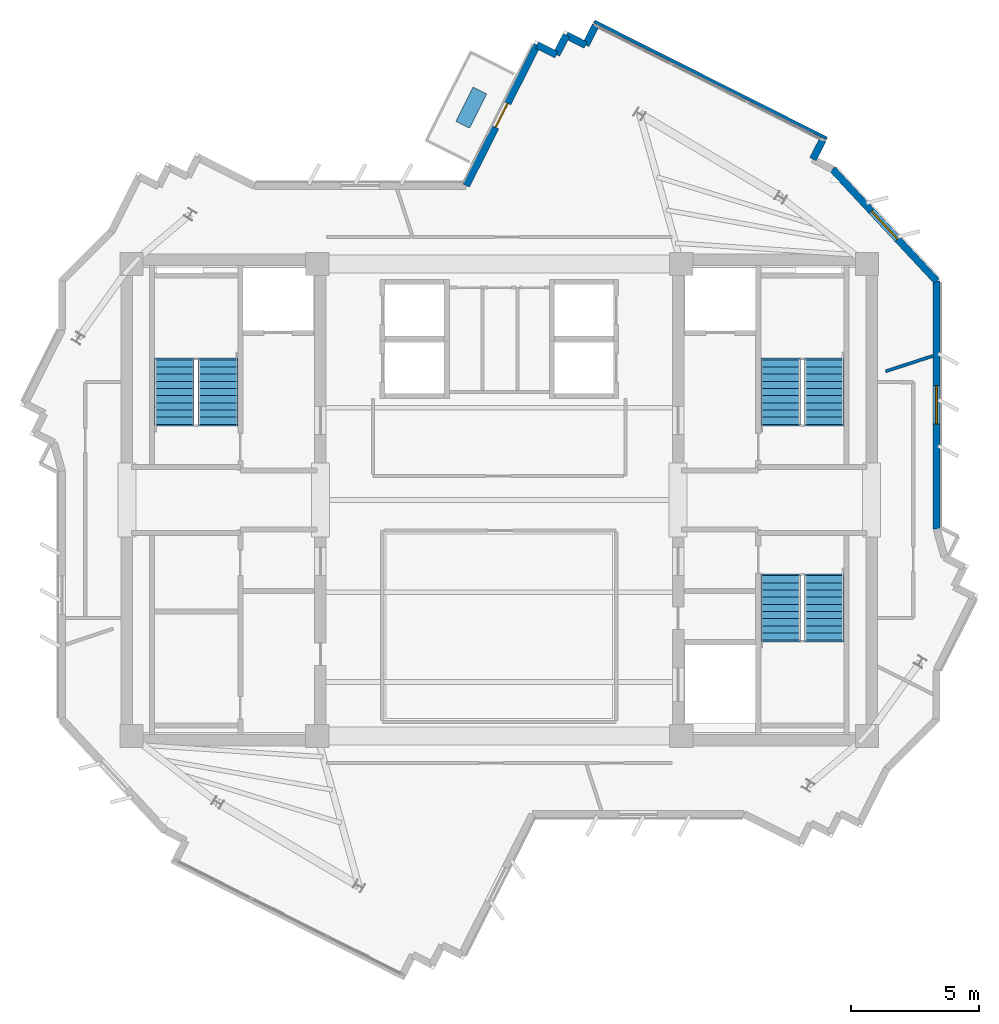
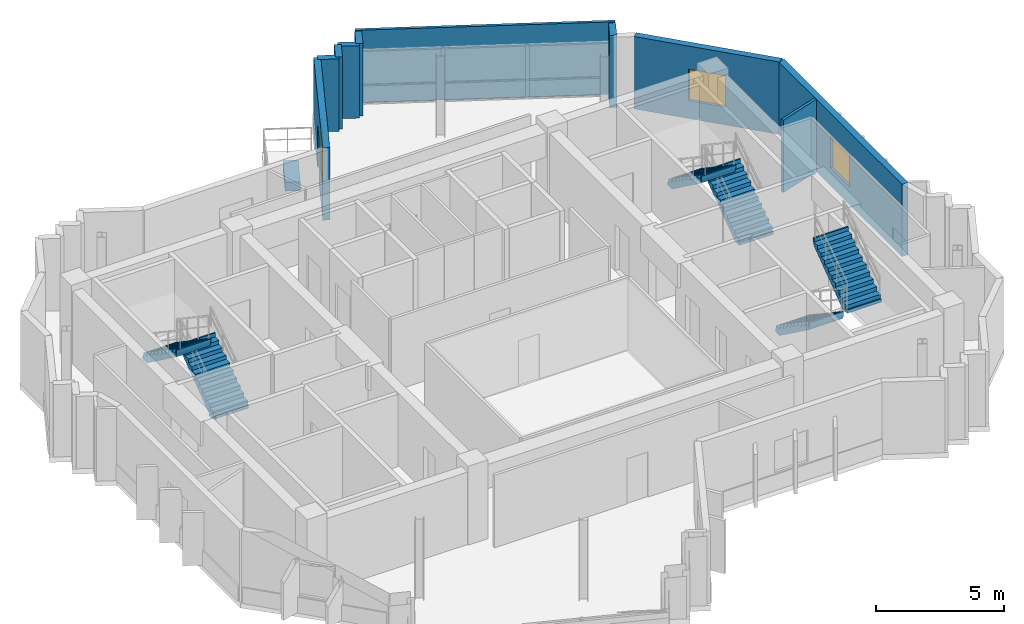
# One storey, part 9 of 11: 10 walls, 6 stair flights, 2 windows, 1 discrete accessory, 1 door, 3 openings, 3 elements without a shape of their own.
"""IFC4 building model written with IfcOpenShell, lengths in metres."""

from ifc_helpers import new_model, si_unit, direction, frame, frame_2d, origin, origin_2d, place, context, subcontext, project, spatial, polyline, rectangle, outline, extrude, source, transform, mapped, material, layer, layer_set, type_object, element, fill, aggregate, save


model = new_model("IFC4")

# Units and contexts
model_context = context("Model", 3, precision=1e-05, world=origin(), true_north=direction((0.0, 1.0)))
body_context = subcontext(model_context, "Body", "Model", "MODEL_VIEW")
ifc_project = project(units=[si_unit("LENGTHUNIT", "METRE"), si_unit("AREAUNIT", "SQUARE_METRE"), si_unit("VOLUMEUNIT", "CUBIC_METRE"), si_unit("PLANEANGLEUNIT", "RADIAN"), si_unit("MASSUNIT", "GRAM", prefix="KILO")], contexts=[model_context])

# Site, building, storey
site_placement = place(None, origin())
site = spatial("IfcSite", under=ifc_project, at=site_placement, CompositionType="ELEMENT")
building_placement = place(site_placement, origin())
building = spatial("IfcBuilding", under=site, at=building_placement, Name="Zahravan Cultural Tower", CompositionType="ELEMENT")
storey_placement = place(building_placement, frame((0.0, 0.0, 357.300048828125)))
storey = spatial("IfcBuildingStorey", under=building, at=storey_placement, Name="L87", CompositionType="ELEMENT", Elevation=357.300048828125)

# Wall, opening, door
ifc_material_1 = material(Name="Precast concrete C40/50", Category="concrete")
ifc_layer_1 = layer(ifc_material_1, 0.280029296875)
ifc_layer_set_1 = layer_set([ifc_layer_1], Name="Precast concrete C40/50")
wall_type_1 = type_object("IfcWallType", Name="EW-TC-280", PredefinedType="SOLIDWALL", material=ifc_layer_set_1)
wall_1_placement = place(storey_placement, frame((34.711181640625, 39.260009765625, 0.0), z_axis=(0.0, 0.0, 1.0), x_axis=(0.449325511899, 0.893368112458, 0.0)))
wall_1 = element("IfcWall", 1, at=wall_1_placement, inside=storey, type_object=wall_type_1, Name="L87 Exterior Masonry Frame Wall 01", PredefinedType="SOLIDWALL", context=body_context, shape_type="SweptSolid", body=[
    extrude(rectangle(XDim=6.146484375, YDim=0.280029296875, at=frame_2d((3.0732421875, 0.0))), origin(), (0.0, 0.0, 1.0), 3.449951171875),
])
opening_1_placement = place(wall_1_placement, frame((2.548095703125, 0.0, 0.0)))
opening_1 = element("IfcOpeningElement", 2, at=opening_1_placement, cuts=wall_1, Name="Opening D-L87-TR-NE", PredefinedType="OPENING", context=body_context, shape_type="SweptSolid", body=[
    extrude(rectangle(XDim=1.050048828125, YDim=2.14990234375, at=frame_2d((0.52490234375, 1.074951171875))), frame((0.0, 0.14990234375, 0.0), z_axis=(0.0, -1.0, 0.0), x_axis=(1.0, 0.0, 0.0)), (0.0, 0.0, 1.0), 0.300048828125),
])
ifc_material_2 = material(Name="Anodised bronze-aluminium mullion", Category="aluminium")
door_type = type_object("IfcDoorType", Name="DR-TERR-1050", OperationType="NOTDEFINED", PredefinedType="DOOR", material=ifc_material_2)
shared_shape_1 = source(origin(), body_context, "Body", "SweptSolid", [
    extrude(rectangle(XDim=1.050048828125, YDim=2.14990234375, at=frame_2d((0.52490234375, 1.074951171875))), frame((0.0, 0.02490234375, 0.0), z_axis=(0.0, -1.0, 0.0), x_axis=(1.0, 0.0, 0.0)), (0.0, 0.0, 1.0), 0.050048828125),
])
door_placement = place(opening_1_placement, origin())
door = element("IfcDoor", 3, at=door_placement, inside=storey, type_object=door_type, Name="L87 Terrace Access Door NE", OperationType="SINGLE_SWING_RIGHT", OverallHeight=2.14990234375, OverallWidth=1.050048828125, PredefinedType="DOOR", context=body_context, shape_type="MappedRepresentation", body=[
    mapped(shared_shape_1, transform((0.0, 0.0, 0.0), x_axis=(1.0, 0.0, 0.0), y_axis=(0.0, 1.0, 0.0), z_axis=(0.0, 0.0, 1.0), scale=1.0)),
])
fill(opening_1, door)

# Wall, opening, window
wall_2_placement = place(storey_placement, frame((48.9951171875, 39.9072265625, 0.0), z_axis=(0.0, 0.0, 1.0), x_axis=(0.681486568047, -0.731830620821, 0.0)))
wall_2 = element("IfcWall", 4, at=wall_2_placement, inside=storey, type_object=wall_type_1, Name="L87 Exterior Masonry Frame Wall 08", PredefinedType="SOLIDWALL", context=body_context, shape_type="SweptSolid", body=[
    extrude(rectangle(XDim=5.96484375, YDim=0.280029296875, at=frame_2d((2.982421875, 0.0))), origin(), (0.0, 0.0, 1.0), 3.449951171875),
])
opening_2_placement = place(wall_2_placement, frame((2.23193359375, 0.0, 0.85009765625)))
opening_2 = element("IfcOpeningElement", 5, at=opening_2_placement, cuts=wall_2, Name="Opening WN-03", PredefinedType="OPENING", context=body_context, shape_type="SweptSolid", body=[
    extrude(rectangle(XDim=1.5, YDim=1.5, at=frame_2d((0.75, 0.75))), frame((0.0, 0.14990234375, 0.0), z_axis=(0.0, -1.0, 0.0), x_axis=(1.0, 0.0, 0.0)), (0.0, 0.0, 1.0), 0.300048828125),
])
ifc_material_3 = material(Name="Low-E solar-control double glazing", Category="glass")
window_type = type_object("IfcWindowType", Name="WN-REC-1500X1500", PartitioningType="SINGLE_PANEL", PredefinedType="WINDOW", material=ifc_material_3)
shared_shape_2 = source(origin(), body_context, "Body", "SweptSolid", [
    extrude(rectangle(XDim=1.5, YDim=1.5, at=frame_2d((0.75, 0.75))), frame((0.0, 0.030029296875, 0.0), z_axis=(0.0, -1.0, 0.0), x_axis=(1.0, 0.0, 0.0)), (0.0, 0.0, 1.0), 0.06005859375),
])
window_1_placement = place(opening_2_placement, origin())
window_1 = element("IfcWindow", 6, at=window_1_placement, inside=storey, type_object=window_type, Name="L87 Recessed Solar Window 01", OverallHeight=1.5, OverallWidth=1.5, PartitioningType="SINGLE_PANEL", PredefinedType="WINDOW", context=body_context, shape_type="MappedRepresentation", body=[
    mapped(shared_shape_2, transform((0.0, 0.0, 0.0), x_axis=(1.0, 0.0, 0.0), y_axis=(0.0, 1.0, 0.0), z_axis=(0.0, 0.0, 1.0), scale=1.0)),
])
fill(opening_2, window_1)

wall_3_placement = place(storey_placement, frame((53.06005859375, 35.5419921875, 0.0), z_axis=(0.0, 0.0, 1.0), x_axis=(0.0, -1.0, 0.0)))
wall_3 = element("IfcWall", 7, at=wall_3_placement, inside=storey, type_object=wall_type_1, Name="L87 Exterior Masonry Frame Wall 09", PredefinedType="SOLIDWALL", context=body_context, shape_type="SweptSolid", body=[
    extrude(rectangle(XDim=9.66748046875, YDim=0.280029296875, at=frame_2d((4.833740234375, 0.0))), origin(), (0.0, 0.0, 1.0), 3.449951171875),
])
opening_3_placement = place(wall_3_placement, frame((4.083984375, 0.0, 0.85009765625)))
opening_3 = element("IfcOpeningElement", 8, at=opening_3_placement, cuts=wall_3, Name="Opening WN-03", PredefinedType="OPENING", context=body_context, shape_type="SweptSolid", body=[
    extrude(rectangle(XDim=1.5, YDim=1.5, at=frame_2d((0.75, 0.75))), frame((0.0, 0.14990234375, 0.0), z_axis=(0.0, -1.0, 0.0), x_axis=(1.0, 0.0, 0.0)), (0.0, 0.0, 1.0), 0.300048828125),
])
window_2_placement = place(opening_3_placement, origin())
window_2 = element("IfcWindow", 9, at=window_2_placement, inside=storey, type_object=window_type, Name="L87 Recessed Solar Window 02", OverallHeight=1.5, OverallWidth=1.5, PartitioningType="SINGLE_PANEL", PredefinedType="WINDOW", context=body_context, shape_type="MappedRepresentation", body=[
    mapped(shared_shape_2, transform((0.0, 0.0, 0.0), x_axis=(1.0, 0.0, 0.0), y_axis=(0.0, 1.0, 0.0), z_axis=(0.0, 0.0, 1.0), scale=1.0)),
])
fill(opening_3, window_2)

# Walls
shared_shape_3 = source(origin(), body_context, "Body", "SweptSolid", [
    extrude(rectangle(XDim=0.849853515625, YDim=0.280029296875, at=frame_2d((0.4248046875, 0.0))), origin(), (0.0, 0.0, 1.0), 3.449951171875),
])
for number, where, z_axis, x_axis, name in (
    (10, (38.6142578125, 45.12841796875, 0.0), (0.0, 0.0, 1.0), (0.89339064965, -0.449280699695, 0.0), "L87 Exterior Masonry Frame Wall 04"),
    (11, (48.61767578125, 41.048583984375, 0.0), (0.0, 0.0, 1.0), (-0.449280699695, -0.89339064965, 0.0), "L87 Exterior Masonry Frame Wall 06"),
):
    element("IfcWall", number, at=place(storey_placement, frame(where, z_axis=z_axis, x_axis=x_axis)), inside=storey, type_object=wall_type_1, Name=name, PredefinedType="SOLIDWALL", context=body_context, shape_type="MappedRepresentation", body=[
        mapped(shared_shape_3, transform((0.0, 0.0, 0.0), x_axis=(1.0, 0.0, 0.0), y_axis=(0.0, 1.0, 0.0), z_axis=(0.0, 0.0, 1.0), scale=1.0)),
    ])
shared_shape_4 = source(origin(), body_context, "Body", "SweptSolid", [
    extrude(rectangle(XDim=0.85009765625, YDim=0.280029296875, at=frame_2d((0.425048828125, 0.0))), origin(), (0.0, 0.0, 1.0), 3.449951171875),
])
for number, where, z_axis, x_axis, name in (
    (12, (37.472900390625, 44.7509765625, 0.0), (0.0, 0.0, 1.0), (0.893333346715, -0.449394627968, 0.0), "L87 Exterior Masonry Frame Wall 02"),
    (13, (38.232421875, 44.368896484375, 0.0), (0.0, 0.0, 1.0), (0.449165422653, 0.893448612452, 0.0), "L87 Exterior Masonry Frame Wall 03"),
    (14, (39.37353515625, 44.74658203125, 0.0), (0.0, 0.0, 1.0), (0.449509934066, 0.893275332233, 0.0), "L87 Exterior Masonry Frame Wall 05"),
):
    element("IfcWall", number, at=place(storey_placement, frame(where, z_axis=z_axis, x_axis=x_axis)), inside=storey, type_object=wall_type_1, Name=name, PredefinedType="SOLIDWALL", context=body_context, shape_type="MappedRepresentation", body=[
        mapped(shared_shape_4, transform((0.0, 0.0, 0.0), x_axis=(1.0, 0.0, 0.0), y_axis=(0.0, 1.0, 0.0), z_axis=(0.0, 0.0, 1.0), scale=1.0)),
    ])
ifc_material_4 = material(Name="Gypsum plasterboard partition")
ifc_layer_2 = layer(ifc_material_4, 0.125)
ifc_layer_set_2 = layer_set([ifc_layer_2], Name="Gypsum plasterboard partition")
wall_type_2 = type_object("IfcWallType", Name="W-PART-125", PredefinedType="PARTITIONING", material=ifc_layer_set_2)
shared_shape_5 = source(origin(), body_context, "Body", "SweptSolid", [
    extrude(rectangle(XDim=1.9404296875, YDim=0.125, at=frame_2d((0.97021484375, 0.0))), origin(), (0.0, 0.0, 1.0), 3.449951171875),
])
wall_4_placement = place(storey_placement, frame((51.070068359375, 32.018798828125, 0.0), z_axis=(0.0, 0.0, 1.0), x_axis=(0.950812842577, 0.309765941303, 0.0)))
element("IfcWall", 15, at=wall_4_placement, inside=storey, type_object=wall_type_2, Name="L87 Interior Wall 052", PredefinedType="PARTITIONING", context=body_context, shape_type="MappedRepresentation", body=[
    mapped(shared_shape_5, transform((0.0, 0.0, 0.0), x_axis=(1.0, 0.0, 0.0), y_axis=(0.0, 1.0, 0.0), z_axis=(0.0, 0.0, 1.0), scale=1.0)),
])
shared_shape_6 = source(origin(), body_context, "Body", "SweptSolid", [
    extrude(rectangle(XDim=10.16015625, YDim=0.125, at=frame_2d((5.080078125, 0.0))), origin(), (0.0, 0.0, 1.0), 3.449951171875),
])
wall_5_placement = place(storey_placement, frame((39.7021484375, 45.6669921875, 0.0), z_axis=(0.0, 0.0, 1.0), x_axis=(0.893367394955, -0.449326938465, 0.0)))
element("IfcWall", 16, at=wall_5_placement, inside=storey, type_object=wall_type_2, Name="L87 Interior Wall 076", PredefinedType="PARTITIONING", context=body_context, shape_type="MappedRepresentation", body=[
    mapped(shared_shape_6, transform((0.0, 0.0, 0.0), x_axis=(1.0, 0.0, 0.0), y_axis=(0.0, 1.0, 0.0), z_axis=(0.0, 0.0, 1.0), scale=1.0)),
])

# Stair, stair flights
ifc_material_5 = material(Name="Concrete C45/55", Category="concrete")
stair_type = type_object("IfcStairType", Name="STR-DL-1550-375", PredefinedType="HALF_TURN_STAIR", material=ifc_material_5)
stair_1_placement = place(storey_placement, origin())
stair_1 = element("IfcStair", 17, at=stair_1_placement, inside=storey, type_object=stair_type, Name="L87 West Core North Exit Stair ST-W1", PredefinedType="HALF_TURN_STAIR")
stair_flight_type = type_object("IfcStairFlightType", Name="FLG-DL-1550-375", PredefinedType="STRAIGHT", material=ifc_material_5)
stair_flight_1_placement = place(storey_placement, frame((25.02490234375, 29.949951171875, 0.0), z_axis=(0.0, 0.0, 1.0), x_axis=(0.0, 1.0, 0.0)))
stair_flight_1 = element("IfcStairFlight", 18, at=stair_flight_1_placement, type_object=stair_flight_type, Name="ST-W1 flight 1", NumberOfRisers=10, NumberOfTreads=9, PredefinedType="STRAIGHT", RiserHeight=0.1875, TreadLength=0.28, context=body_context, shape_type="SweptSolid", body=[
    extrude(outline(polyline([(-0.06494140625, -0.139892578125), (-0.06494140625, 0.0), (0.0, 0.0), (0.0, 0.1875), (0.280029296875, 0.1875), (0.280029296875, 0.375), (0.56005859375, 0.375), (0.56005859375, 0.5625), (0.840087890625, 0.5625), (0.840087890625, 0.75), (1.1201171875, 0.75), (1.1201171875, 0.9375), (1.39990234375, 0.9375), (1.39990234375, 1.125), (1.679931640625, 1.125), (1.679931640625, 1.3125), (1.9599609375, 1.3125), (1.9599609375, 1.5), (2.239990234375, 1.5), (2.239990234375, 1.6875), (2.52001953125, 1.6875), (2.52001953125, 1.875), (2.5849609375, 1.875), (2.5849609375, 1.72509765625), (2.52001953125, 1.507080078125), (0.26953125, -0.139892578125), (-0.06494140625, -0.139892578125)])), frame((0.0, 0.77490234375, 0.0), z_axis=(0.0, -1.0, 0.0), x_axis=(1.0, 0.0, 0.0)), (0.0, 0.0, 1.0), 1.550048828125),
])
stair_flight_2_placement = place(storey_placement, frame((23.324951171875, 32.469970703125, 1.875), z_axis=(0.0, 0.0, 1.0), x_axis=(0.0, -1.0, 0.0)))
stair_flight_2 = element("IfcStairFlight", 19, at=stair_flight_2_placement, type_object=stair_flight_type, Name="ST-W1 flight 2", NumberOfRisers=10, NumberOfTreads=9, PredefinedType="STRAIGHT", RiserHeight=0.1875, TreadLength=0.28, context=body_context, shape_type="SweptSolid", body=[
    extrude(outline(polyline([(-0.06494140625, -0.139892578125), (-0.06494140625, 0.0), (0.0, 0.0), (0.0, 0.1875), (0.280029296875, 0.1875), (0.280029296875, 0.375), (0.56005859375, 0.375), (0.56005859375, 0.5625), (0.840087890625, 0.5625), (0.840087890625, 0.75), (1.1201171875, 0.75), (1.1201171875, 0.9375), (1.39990234375, 0.9375), (1.39990234375, 1.125), (1.679931640625, 1.125), (1.679931640625, 1.3125), (1.9599609375, 1.3125), (1.9599609375, 1.5), (2.239990234375, 1.5), (2.239990234375, 1.6875), (2.52001953125, 1.6875), (2.52001953125, 1.875), (2.5849609375, 1.875), (2.5849609375, 1.72509765625), (2.52001953125, 1.507080078125), (0.26953125, -0.139892578125), (-0.06494140625, -0.139892578125)])), frame((0.0, 0.77490234375, 0.0), z_axis=(0.0, -1.0, 0.0), x_axis=(1.0, 0.0, 0.0)), (0.0, 0.0, 1.0), 1.550048828125),
])
aggregate(stair_1, [stair_flight_1, stair_flight_2])

stair_2_placement = place(storey_placement, origin())
stair_2 = element("IfcStair", 20, at=stair_2_placement, inside=storey, type_object=stair_type, Name="L87 East Core North Exit Stair ST-E1", PredefinedType="HALF_TURN_STAIR")
stair_flight_3_placement = place(storey_placement, frame((48.675048828125, 29.949951171875, 0.0), z_axis=(0.0, 0.0, 1.0), x_axis=(0.0, 1.0, 0.0)))
stair_flight_3 = element("IfcStairFlight", 21, at=stair_flight_3_placement, type_object=stair_flight_type, Name="ST-E1 flight 1", NumberOfRisers=10, NumberOfTreads=9, PredefinedType="STRAIGHT", RiserHeight=0.1875, TreadLength=0.28, context=body_context, shape_type="SweptSolid", body=[
    extrude(outline(polyline([(-0.06494140625, -0.139892578125), (-0.06494140625, 0.0), (0.0, 0.0), (0.0, 0.1875), (0.280029296875, 0.1875), (0.280029296875, 0.375), (0.56005859375, 0.375), (0.56005859375, 0.5625), (0.840087890625, 0.5625), (0.840087890625, 0.75), (1.1201171875, 0.75), (1.1201171875, 0.9375), (1.39990234375, 0.9375), (1.39990234375, 1.125), (1.679931640625, 1.125), (1.679931640625, 1.3125), (1.9599609375, 1.3125), (1.9599609375, 1.5), (2.239990234375, 1.5), (2.239990234375, 1.6875), (2.52001953125, 1.6875), (2.52001953125, 1.875), (2.5849609375, 1.875), (2.5849609375, 1.72509765625), (2.52001953125, 1.507080078125), (0.26953125, -0.139892578125), (-0.06494140625, -0.139892578125)])), frame((0.0, 0.77490234375, 0.0), z_axis=(0.0, -1.0, 0.0), x_axis=(1.0, 0.0, 0.0)), (0.0, 0.0, 1.0), 1.550048828125),
])
stair_flight_4_placement = place(storey_placement, frame((46.97509765625, 32.469970703125, 1.875), z_axis=(0.0, 0.0, 1.0), x_axis=(0.0, -1.0, 0.0)))
stair_flight_4 = element("IfcStairFlight", 22, at=stair_flight_4_placement, type_object=stair_flight_type, Name="ST-E1 flight 2", NumberOfRisers=10, NumberOfTreads=9, PredefinedType="STRAIGHT", RiserHeight=0.1875, TreadLength=0.28, context=body_context, shape_type="SweptSolid", body=[
    extrude(outline(polyline([(-0.06494140625, -0.139892578125), (-0.06494140625, 0.0), (0.0, 0.0), (0.0, 0.1875), (0.280029296875, 0.1875), (0.280029296875, 0.375), (0.56005859375, 0.375), (0.56005859375, 0.5625), (0.840087890625, 0.5625), (0.840087890625, 0.75), (1.1201171875, 0.75), (1.1201171875, 0.9375), (1.39990234375, 0.9375), (1.39990234375, 1.125), (1.679931640625, 1.125), (1.679931640625, 1.3125), (1.9599609375, 1.3125), (1.9599609375, 1.5), (2.239990234375, 1.5), (2.239990234375, 1.6875), (2.52001953125, 1.6875), (2.52001953125, 1.875), (2.5849609375, 1.875), (2.5849609375, 1.72509765625), (2.52001953125, 1.507080078125), (0.26953125, -0.139892578125), (-0.06494140625, -0.139892578125)])), frame((0.0, 0.77490234375, 0.0), z_axis=(0.0, -1.0, 0.0), x_axis=(1.0, 0.0, 0.0)), (0.0, 0.0, 1.0), 1.550048828125),
])
aggregate(stair_2, [stair_flight_3, stair_flight_4])

stair_3_placement = place(storey_placement, origin())
stair_3 = element("IfcStair", 23, at=stair_3_placement, inside=storey, type_object=stair_type, Name="L87 East Core South Exit Stair ST-E2", PredefinedType="HALF_TURN_STAIR")
stair_flight_5_placement = place(storey_placement, frame((46.97509765625, 24.050048828125, 0.0), z_axis=(0.0, 0.0, 1.0), x_axis=(0.0, -1.0, 0.0)))
stair_flight_5 = element("IfcStairFlight", 24, at=stair_flight_5_placement, type_object=stair_flight_type, Name="ST-E2 flight 1", NumberOfRisers=10, NumberOfTreads=9, PredefinedType="STRAIGHT", RiserHeight=0.1875, TreadLength=0.28, context=body_context, shape_type="SweptSolid", body=[
    extrude(outline(polyline([(-0.06494140625, -0.139892578125), (-0.06494140625, 0.0), (0.0, 0.0), (0.0, 0.1875), (0.280029296875, 0.1875), (0.280029296875, 0.375), (0.56005859375, 0.375), (0.56005859375, 0.5625), (0.840087890625, 0.5625), (0.840087890625, 0.75), (1.1201171875, 0.75), (1.1201171875, 0.9375), (1.39990234375, 0.9375), (1.39990234375, 1.125), (1.679931640625, 1.125), (1.679931640625, 1.3125), (1.9599609375, 1.3125), (1.9599609375, 1.5), (2.239990234375, 1.5), (2.239990234375, 1.6875), (2.52001953125, 1.6875), (2.52001953125, 1.875), (2.5849609375, 1.875), (2.5849609375, 1.72509765625), (2.52001953125, 1.507080078125), (0.26953125, -0.139892578125), (-0.06494140625, -0.139892578125)])), frame((0.0, 0.77490234375, 0.0), z_axis=(0.0, -1.0, 0.0), x_axis=(1.0, 0.0, 0.0)), (0.0, 0.0, 1.0), 1.550048828125),
])
stair_flight_6_placement = place(storey_placement, frame((48.675048828125, 21.530029296875, 1.875), z_axis=(0.0, 0.0, 1.0), x_axis=(0.0, 1.0, 0.0)))
stair_flight_6 = element("IfcStairFlight", 25, at=stair_flight_6_placement, type_object=stair_flight_type, Name="ST-E2 flight 2", NumberOfRisers=10, NumberOfTreads=9, PredefinedType="STRAIGHT", RiserHeight=0.1875, TreadLength=0.28, context=body_context, shape_type="SweptSolid", body=[
    extrude(outline(polyline([(-0.06494140625, -0.139892578125), (-0.06494140625, 0.0), (0.0, 0.0), (0.0, 0.1875), (0.280029296875, 0.1875), (0.280029296875, 0.375), (0.56005859375, 0.375), (0.56005859375, 0.5625), (0.840087890625, 0.5625), (0.840087890625, 0.75), (1.1201171875, 0.75), (1.1201171875, 0.9375), (1.39990234375, 0.9375), (1.39990234375, 1.125), (1.679931640625, 1.125), (1.679931640625, 1.3125), (1.9599609375, 1.3125), (1.9599609375, 1.5), (2.239990234375, 1.5), (2.239990234375, 1.6875), (2.52001953125, 1.6875), (2.52001953125, 1.875), (2.5849609375, 1.875), (2.5849609375, 1.72509765625), (2.52001953125, 1.507080078125), (0.26953125, -0.139892578125), (-0.06494140625, -0.139892578125)])), frame((0.0, 0.77490234375, 0.0), z_axis=(0.0, -1.0, 0.0), x_axis=(1.0, 0.0, 0.0)), (0.0, 0.0, 1.0), 1.550048828125),
])
aggregate(stair_3, [stair_flight_5, stair_flight_6])

# Discrete accessory
ifc_material_6 = material(Name="Planted soil and terracotta planter", Category="masonry")
discrete_accessory_type = type_object("IfcDiscreteAccessoryType", Name="ACC-PLANTER-TC", PredefinedType="USERDEFINED", material=ifc_material_6)
shared_shape_7 = source(origin(), body_context, "Body", "SweptSolid", [
    extrude(rectangle(XDim=1.5, YDim=0.60009765625, at=origin_2d()), origin(), (0.0, 0.0, 1.0), 0.419921875),
])
discrete_accessory_placement = place(storey_placement, frame((34.906982421875, 42.302978515625, 0.0), z_axis=(0.0, 0.0, 1.0), x_axis=(0.449318998616, 0.893371388328, 0.0)))
element("IfcDiscreteAccessory", 26, at=discrete_accessory_placement, inside=storey, type_object=discrete_accessory_type, Name="L87 Terracotta Sculpture Planter NE", ObjectType="PLANTER", PredefinedType="USERDEFINED", context=body_context, shape_type="MappedRepresentation", body=[
    mapped(shared_shape_7, transform((0.0, 0.0, 0.0), x_axis=(1.0, 0.0, 0.0), y_axis=(0.0, 1.0, 0.0), z_axis=(0.0, 0.0, 1.0), scale=1.0)),
])

save(model, "model.ifc")
